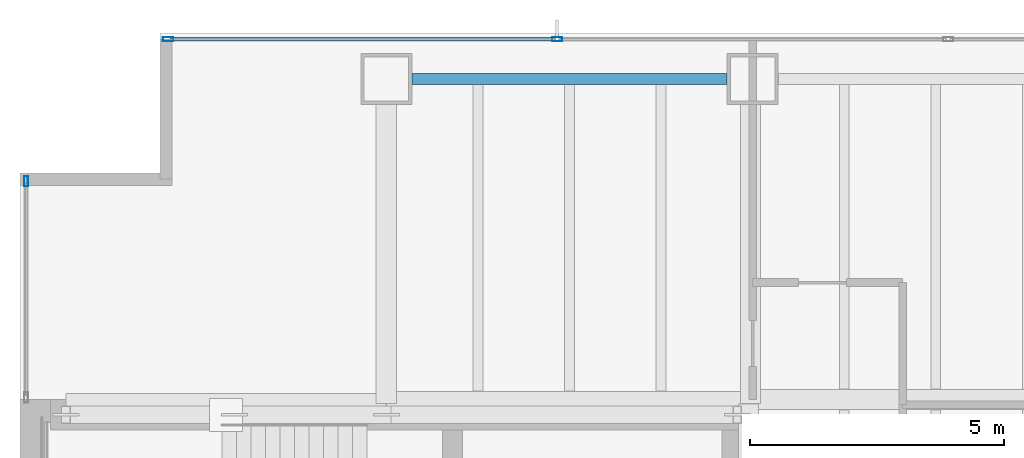
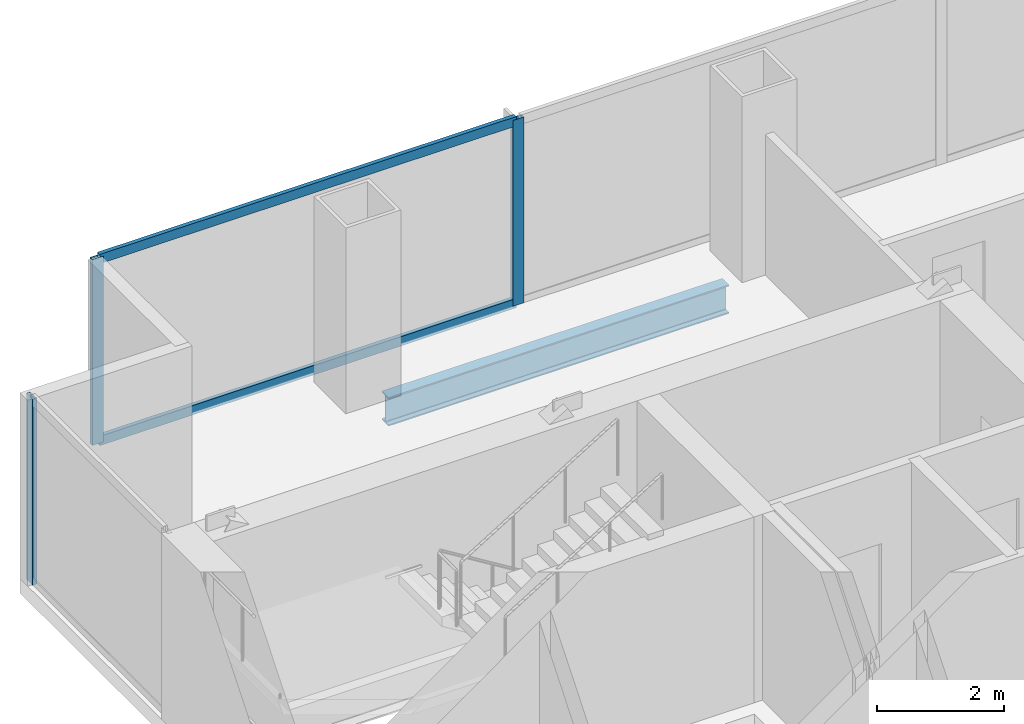
# One storey, part 16 of 24: 5 members, 1 beam, 2 elements without a shape of their own.
"""IFC4 building model written with IfcOpenShell, lengths in metres."""

from ifc_helpers import new_model, si_unit, direction, frame, origin, origin_2d, place, context, subcontext, project, spatial, hollow_rectangle, i_section, extrude, material, material_profile, profile_set, type_object, element, aggregate, save


model = new_model("IFC4")

# Units and contexts
model_context = context("Model", 3, precision=1e-05, world=origin(), true_north=direction((0.0, 1.0)))
body_context = subcontext(model_context, "Body", "Model", "MODEL_VIEW")
ifc_project = project(units=[si_unit("LENGTHUNIT", "METRE"), si_unit("AREAUNIT", "SQUARE_METRE"), si_unit("VOLUMEUNIT", "CUBIC_METRE"), si_unit("PLANEANGLEUNIT", "RADIAN"), si_unit("MASSUNIT", "GRAM", prefix="KILO")], contexts=[model_context])

# Site, building, storey
site_placement = place(None, origin())
site = spatial("IfcSite", under=ifc_project, at=site_placement, CompositionType="ELEMENT")
building_placement = place(site_placement, origin())
building = spatial("IfcBuilding", under=site, at=building_placement, Name="Cobrela Telecom Tower", CompositionType="ELEMENT")
storey_placement = place(building_placement, frame((0.0, 0.0, 69.64990234375)))
storey = spatial("IfcBuildingStorey", under=building, at=storey_placement, Name="L17", CompositionType="ELEMENT", Elevation=69.64990234375)

# Beam
ifc_material_1 = material(Name="Steel ASTM A992 Grade 50", Category="steel")
ifc_material_profile_1 = material_profile(ifc_material_1, i_section(OverallWidth=0.212890625, OverallDepth=0.549072265625, WebThickness=0.0146484375, FlangeThickness=0.023681640625, FilletRadius=0.013916015625, at=origin_2d()), Name="W21X93")
ifc_profile_set_1 = profile_set([ifc_material_profile_1], Name="Steel ASTM A992 Grade 50")
beam_type = type_object("IfcBeamType", Name="BM-SPAND-03", PredefinedType="SPANDREL", material=ifc_profile_set_1)
beam_placement = place(storey_placement, frame((7.705078125, 42.300048828125, -0.554443359375), z_axis=(1.0, 0.0, 0.0), x_axis=(0.0, 1.0, 0.0)))
element("IfcBeam", 1, at=beam_placement, inside=storey, type_object=beam_type, Name="L17 Perimeter Spandrel X29", PredefinedType="SPANDREL", context=body_context, shape_type="SweptSolid", body=[
    extrude(i_section(OverallWidth=0.212890625, OverallDepth=0.549072265625, WebThickness=0.0146484375, FlangeThickness=0.023681640625, FilletRadius=0.013916015625, at=origin_2d()), origin(), (0.0, 0.0, 1.0), 6.18994140625),
])

# Curtain wall, member
ifc_material_2 = material(Name="Anodized Bronze Aluminium 6063-T6", Category="aluminium")
curtain_wall_type = type_object("IfcCurtainWallType", Name="CW-SYS-DATA", PredefinedType="USERDEFINED", material=ifc_material_2)
curtain_wall_1_placement = place(storey_placement, origin())
curtain_wall_1 = element("IfcCurtainWall", 2, at=curtain_wall_1_placement, inside=storey, type_object=curtain_wall_type, Name="L17 Unitised Bronze Curtain Wall 04", ObjectType="UNITISED CURTAIN WALL", PredefinedType="USERDEFINED")
ifc_material_profile_2 = material_profile(ifc_material_2, hollow_rectangle(XDim=0.080078125, YDim=0.199951171875, WallThickness=0.00390625, at=origin_2d()), Name="ALU 80x200x4")
ifc_profile_set_2 = profile_set([ifc_material_profile_2], Name="Anodized Bronze Aluminium 6063-T6")
member_type_1 = type_object("IfcMemberType", Name="CW-SYS-DATA-MUL", PredefinedType="MULLION", material=ifc_profile_set_2)
member_1_placement = place(storey_placement, frame((0.1201171875, 40.2900390625, 0.0), z_axis=(0.0, 0.0, 1.0), x_axis=(-1.0, 0.0, 0.0)))
member_1 = element("IfcMember", 3, at=member_1_placement, type_object=member_type_1, Name="CW-DATA mullion 2", PredefinedType="MULLION", context=body_context, shape_type="SweptSolid", body=[
    extrude(hollow_rectangle(XDim=0.080078125, YDim=0.199951171875, WallThickness=0.00390625, at=origin_2d()), origin(), (0.0, 0.0, 1.0), 3.570068359375),
])
aggregate(curtain_wall_1, [member_1])

# Curtain wall, members
curtain_wall_2_placement = place(storey_placement, origin())
curtain_wall_2 = element("IfcCurtainWall", 4, at=curtain_wall_2_placement, inside=storey, type_object=curtain_wall_type, Name="L17 Unitised Bronze Curtain Wall 07", ObjectType="UNITISED CURTAIN WALL", PredefinedType="USERDEFINED")
member_2_placement = place(storey_placement, frame((2.909912109375, 43.080078125, 0.0), z_axis=(0.0, 0.0, 1.0), x_axis=(0.0, 1.0, 0.0)))
member_2 = element("IfcMember", 5, at=member_2_placement, type_object=member_type_1, Name="CW-DATA mullion 1", PredefinedType="MULLION", context=body_context, shape_type="SweptSolid", body=[
    extrude(hollow_rectangle(XDim=0.080078125, YDim=0.199951171875, WallThickness=0.00390625, at=origin_2d()), origin(), (0.0, 0.0, 1.0), 3.570068359375),
])
member_3_placement = place(storey_placement, frame((10.556640625, 43.080078125, 0.0), z_axis=(0.0, 0.0, 1.0), x_axis=(0.0, 1.0, 0.0)))
member_3 = element("IfcMember", 6, at=member_3_placement, type_object=member_type_1, Name="CW-DATA mullion 2", PredefinedType="MULLION", context=body_context, shape_type="SweptSolid", body=[
    extrude(hollow_rectangle(XDim=0.080078125, YDim=0.199951171875, WallThickness=0.00390625, at=origin_2d()), origin(), (0.0, 0.0, 1.0), 3.570068359375),
])
ifc_material_profile_3 = material_profile(ifc_material_2, hollow_rectangle(XDim=0.074951171875, YDim=0.179931640625, WallThickness=0.00390625, at=origin_2d()), Name="ALU 75x180x4")
ifc_profile_set_3 = profile_set([ifc_material_profile_3], Name="Anodized Bronze Aluminium 6063-T6")
member_type_2 = type_object("IfcMemberType", Name="CW-SYS-DATA-TRN", PredefinedType="USERDEFINED", material=ifc_profile_set_3)
member_4_placement = place(storey_placement, frame((2.949951171875, 43.080078125, 0.03759765625), z_axis=(1.0, 0.0, 0.0), x_axis=(0.0, 1.0, 0.0)))
member_4 = element("IfcMember", 7, at=member_4_placement, type_object=member_type_2, Name="CW-DATA transom 1.1", ObjectType="TRANSOM", PredefinedType="USERDEFINED", context=body_context, shape_type="SweptSolid", body=[
    extrude(hollow_rectangle(XDim=0.074951171875, YDim=0.179931640625, WallThickness=0.00390625, at=origin_2d()), origin(), (0.0, 0.0, 1.0), 7.566650390625),
])
member_5_placement = place(storey_placement, frame((2.949951171875, 43.080078125, 3.53271484375), z_axis=(1.0, 0.0, 0.0), x_axis=(0.0, 1.0, 0.0)))
member_5 = element("IfcMember", 8, at=member_5_placement, type_object=member_type_2, Name="CW-DATA transom 1.2", ObjectType="TRANSOM", PredefinedType="USERDEFINED", context=body_context, shape_type="SweptSolid", body=[
    extrude(hollow_rectangle(XDim=0.074951171875, YDim=0.179931640625, WallThickness=0.00390625, at=origin_2d()), origin(), (0.0, 0.0, 1.0), 7.566650390625),
])
aggregate(curtain_wall_2, [member_2, member_3, member_4, member_5])

save(model, "model.ifc")
